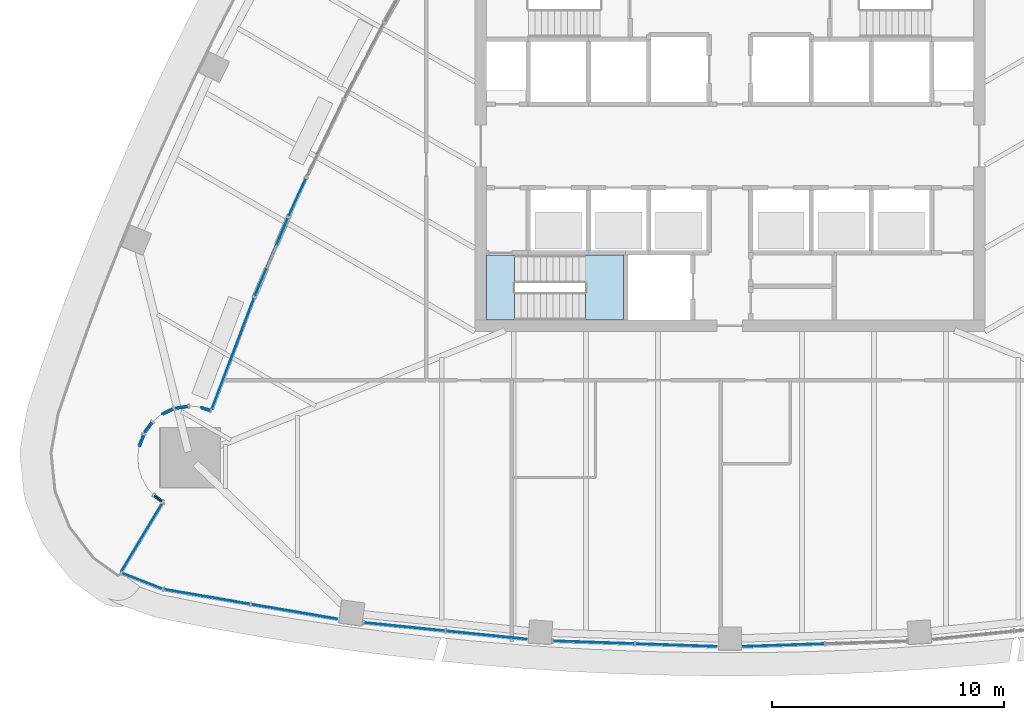
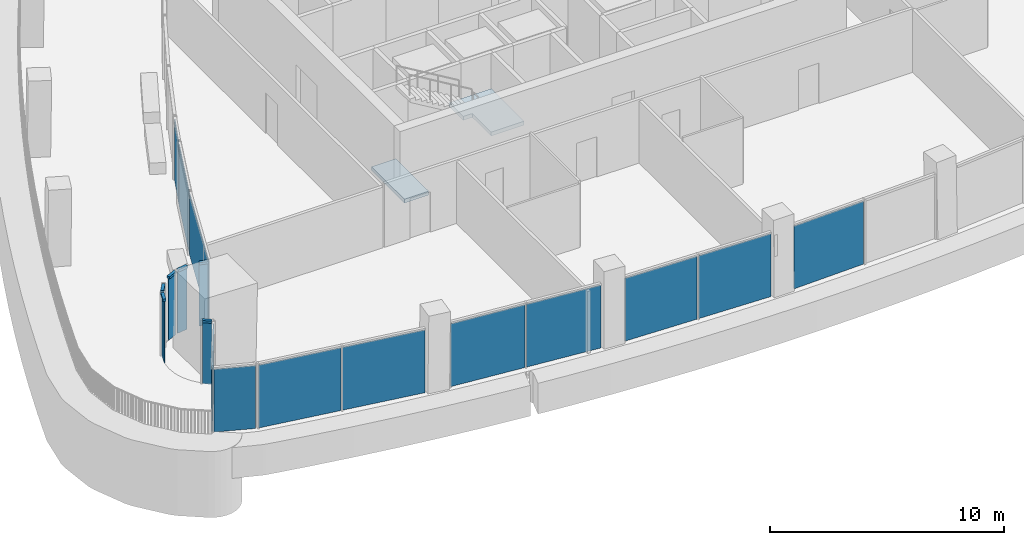
# One storey, part 7 of 18: 18 plates, 6 members, 2 slabs, 16 elements without a shape of their own.
"""IFC4 building model written with IfcOpenShell, lengths in metres."""

from ifc_helpers import new_model, si_unit, direction, frame, origin, origin_2d, place, context, subcontext, project, spatial, polyline, rectangle, outline, extrude, material, layer, layer_set, material_profile, profile_set, type_object, element, aggregate, save


model = new_model("IFC4")

# Units and contexts
model_context = context("Model", 3, precision=1e-05, world=origin(), true_north=direction((0.0, 1.0)))
body_context = subcontext(model_context, "Body", "Model", "MODEL_VIEW")
ifc_project = project(units=[si_unit("LENGTHUNIT", "METRE"), si_unit("AREAUNIT", "SQUARE_METRE"), si_unit("VOLUMEUNIT", "CUBIC_METRE"), si_unit("PLANEANGLEUNIT", "RADIAN"), si_unit("MASSUNIT", "GRAM", prefix="KILO")], contexts=[model_context])

# Site, building, storey
site_placement = place(None, origin())
site = spatial("IfcSite", under=ifc_project, at=site_placement, CompositionType="ELEMENT")
building_placement = place(site_placement, origin())
building = spatial("IfcBuilding", under=site, at=building_placement, Name="Sierra Prisma Convention Tower", CompositionType="ELEMENT")
storey_placement = place(building_placement, frame((0.0, 0.0, 189.800048828125)))
storey = spatial("IfcBuildingStorey", under=building, at=storey_placement, Name="L42", CompositionType="ELEMENT", Elevation=189.800048828125)

# Curtain wall, member
ifc_material_1 = material(Name="Aluminium and glass curtain wall", Category="aluminium")
ifc_layer_1 = layer(ifc_material_1, 0.179931640625)
ifc_layer_set_1 = layer_set([ifc_layer_1], Name="CW-6 Terrace recess curtain wall")
curtain_wall_type_1 = type_object("IfcCurtainWallType", Name="CW-6 Terrace recess curtain wall", PredefinedType="NOTDEFINED", material=ifc_layer_set_1)
curtain_wall_1_placement = place(storey_placement, origin())
curtain_wall_1 = element("IfcCurtainWall", 1, at=curtain_wall_1_placement, inside=storey, type_object=curtain_wall_type_1, Name="CW-6 R13 L42", PredefinedType="NOTDEFINED")
ifc_material_2 = material(Name="Aluminium 6063-T6 bronze anodised", Category="aluminium")
ifc_material_profile = material_profile(ifc_material_2, rectangle(XDim=0.139892578125, YDim=0.1201171875, at=origin_2d()), Name="ALU TRANSOM 120x140")
ifc_profile_set = profile_set([ifc_material_profile], Name="Aluminium 6063-T6 bronze anodised")
member_type = type_object("IfcMemberType", Name="CW transom bronze", PredefinedType="USERDEFINED", material=ifc_profile_set)
member_1_placement = place(storey_placement, frame((-22.432373046875, -11.397705078125, 3.280029296875), z_axis=(-0.949826019039, 0.312778729388, 0.0), x_axis=(-0.312778729388, -0.949826019039, 0.0)))
member_1 = element("IfcMember", 2, at=member_1_placement, type_object=member_type, Name="CW-6 transom R13.1", ObjectType="TRANSOM", PredefinedType="USERDEFINED", context=body_context, shape_type="SweptSolid", body=[
    extrude(rectangle(XDim=0.139892578125, YDim=0.1201171875, at=origin_2d()), origin(), (0.0, 0.0, 1.0), 0.382568359375),
])

curtain_wall_2_placement = place(storey_placement, origin())
curtain_wall_2 = element("IfcCurtainWall", 3, at=curtain_wall_2_placement, inside=storey, type_object=curtain_wall_type_1, Name="CW-6 R15 L42", PredefinedType="NOTDEFINED")
member_2_placement = place(storey_placement, frame((-23.3681640625, -11.223388671875, 3.280029296875), z_axis=(-0.989150136118, -0.146908162528, 0.0), x_axis=(0.146908162528, -0.989150136118, 0.0)))
member_2 = element("IfcMember", 4, at=member_2_placement, type_object=member_type, Name="CW-6 transom R15.1", ObjectType="TRANSOM", PredefinedType="USERDEFINED", context=body_context, shape_type="SweptSolid", body=[
    extrude(rectangle(XDim=0.139892578125, YDim=0.1201171875, at=origin_2d()), origin(), (0.0, 0.0, 1.0), 0.516845703125),
])

curtain_wall_3_placement = place(storey_placement, origin())
curtain_wall_3 = element("IfcCurtainWall", 5, at=curtain_wall_3_placement, inside=storey, type_object=curtain_wall_type_1, Name="CW-6 R16 L42", PredefinedType="NOTDEFINED")
member_3_placement = place(storey_placement, frame((-24.011962890625, -11.33935546875, 3.280029296875), z_axis=(-0.903853193215, -0.427842734092, 0.0), x_axis=(0.427842734092, -0.903853193215, 0.0)))
member_3 = element("IfcMember", 6, at=member_3_placement, type_object=member_type, Name="CW-6 transom R16.1", ObjectType="TRANSOM", PredefinedType="USERDEFINED", context=body_context, shape_type="SweptSolid", body=[
    extrude(rectangle(XDim=0.139892578125, YDim=0.1201171875, at=origin_2d()), origin(), (0.0, 0.0, 1.0), 0.51708984375),
])

curtain_wall_4_placement = place(storey_placement, origin())
curtain_wall_4 = element("IfcCurtainWall", 7, at=curtain_wall_4_placement, inside=storey, type_object=curtain_wall_type_1, Name="CW-6 R18 L42", PredefinedType="NOTDEFINED")
member_4_placement = place(storey_placement, frame((-24.92333984375, -11.925048828125, 3.280029296875), z_axis=(-0.596063090285, -0.80293760181, 0.0), x_axis=(0.80293760181, -0.596063090285, 0.0)))
member_4 = element("IfcMember", 8, at=member_4_placement, type_object=member_type, Name="CW-6 transom R18.1", ObjectType="TRANSOM", PredefinedType="USERDEFINED", context=body_context, shape_type="SweptSolid", body=[
    extrude(rectangle(XDim=0.139892578125, YDim=0.1201171875, at=origin_2d()), origin(), (0.0, 0.0, 1.0), 0.516845703125),
])

curtain_wall_5_placement = place(storey_placement, origin())
curtain_wall_5 = element("IfcCurtainWall", 9, at=curtain_wall_5_placement, inside=storey, type_object=curtain_wall_type_1, Name="CW-6 R19 L42", PredefinedType="NOTDEFINED")
member_5_placement = place(storey_placement, frame((-25.296630859375, -12.46240234375, 3.280029296875), z_axis=(-0.33684512251, -0.94156006895, 0.0), x_axis=(0.94156006895, -0.33684512251, 0.0)))
member_5 = element("IfcMember", 10, at=member_5_placement, type_object=member_type, Name="CW-6 transom R19.1", ObjectType="TRANSOM", PredefinedType="USERDEFINED", context=body_context, shape_type="SweptSolid", body=[
    extrude(rectangle(XDim=0.139892578125, YDim=0.1201171875, at=origin_2d()), origin(), (0.0, 0.0, 1.0), 0.516845703125),
])

curtain_wall_6_placement = place(storey_placement, origin())
curtain_wall_6 = element("IfcCurtainWall", 11, at=curtain_wall_6_placement, inside=storey, type_object=curtain_wall_type_1, Name="CW-6 R25 L42", PredefinedType="NOTDEFINED")
member_6_placement = place(storey_placement, frame((-24.825927734375, -15.07666015625, 3.280029296875), z_axis=(0.796881249276, -0.604135973563, 0.0), x_axis=(0.604135973563, 0.796881249276, 0.0)))
member_6 = element("IfcMember", 12, at=member_6_placement, type_object=member_type, Name="CW-6 transom R25.1", ObjectType="TRANSOM", PredefinedType="USERDEFINED", context=body_context, shape_type="SweptSolid", body=[
    extrude(rectangle(XDim=0.139892578125, YDim=0.1201171875, at=origin_2d()), origin(), (0.0, 0.0, 1.0), 0.4052734375),
])

# Curtain wall, plate
ifc_material_3 = material(Name="Aluminium and glass curtain wall", Category="aluminium")
ifc_layer_2 = layer(ifc_material_3, 0.179931640625)
ifc_layer_set_2 = layer_set([ifc_layer_2], Name="CW-1 Plain shaft curtain wall")
curtain_wall_type_2 = type_object("IfcCurtainWallType", Name="CW-1 Plain shaft curtain wall", PredefinedType="NOTDEFINED", material=ifc_layer_set_2)
curtain_wall_7_placement = place(storey_placement, origin())
curtain_wall_7 = element("IfcCurtainWall", 13, at=curtain_wall_7_placement, inside=storey, type_object=curtain_wall_type_2, Name="CW-1 SW5 L42", PredefinedType="NOTDEFINED")
ifc_material_4 = material(Name="Tinted glass bronze-grey IGU", Category="glass")
ifc_layer_3 = layer(ifc_material_4, 0.028076171875)
ifc_layer_set_3 = layer_set([ifc_layer_3], Name="CW-1 glass panel")
plate_type_1 = type_object("IfcPlateType", Name="CW-1 glass panel", PredefinedType="CURTAIN_PANEL", material=ifc_layer_set_3)
plate_1_placement = place(storey_placement, frame((-25.368896484375, -18.758544921875, 0.0), z_axis=(0.0, 0.0, 1.0), x_axis=(0.931633288496, -0.363399801549, 0.0)))
plate_1 = element("IfcPlate", 14, at=plate_1_placement, type_object=plate_type_1, Name="CW-1 panel SW5.1", PredefinedType="CURTAIN_PANEL", context=body_context, shape_type="SweptSolid", body=[
    extrude(rectangle(XDim=1.8017578125, YDim=0.028076171875, at=origin_2d()), origin(), (0.0, 0.0, 1.0), 3.280029296875),
])
aggregate(curtain_wall_7, [plate_1])

# Curtain wall, plates
curtain_wall_8_placement = place(storey_placement, origin())
curtain_wall_8 = element("IfcCurtainWall", 15, at=curtain_wall_8_placement, inside=storey, type_object=curtain_wall_type_2, Name="CW-1 S1 L42", PredefinedType="NOTDEFINED")
plate_2_placement = place(storey_placement, frame((-22.54736328125, -19.43896484375, 0.0), z_axis=(0.0, 0.0, 1.0), x_axis=(0.985712238098, -0.168438070707, 0.0)))
plate_2 = element("IfcPlate", 16, at=plate_2_placement, type_object=plate_type_1, Name="CW-1 panel S1.1", PredefinedType="CURTAIN_PANEL", context=body_context, shape_type="SweptSolid", body=[
    extrude(rectangle(XDim=3.749755859375, YDim=0.028076171875, at=origin_2d()), origin(), (0.0, 0.0, 1.0), 3.280029296875),
])
plate_3_placement = place(storey_placement, frame((-18.7822265625, -20.08251953125, 0.0), z_axis=(0.0, 0.0, 1.0), x_axis=(0.985712238098, -0.168438070707, 0.0)))
plate_3 = element("IfcPlate", 17, at=plate_3_placement, type_object=plate_type_1, Name="CW-1 panel S1.2", PredefinedType="CURTAIN_PANEL", context=body_context, shape_type="SweptSolid", body=[
    extrude(rectangle(XDim=3.749755859375, YDim=0.028076171875, at=origin_2d()), origin(), (0.0, 0.0, 1.0), 3.280029296875),
])
aggregate(curtain_wall_8, [plate_2, plate_3])

curtain_wall_9_placement = place(storey_placement, origin())
curtain_wall_9 = element("IfcCurtainWall", 18, at=curtain_wall_9_placement, inside=storey, type_object=curtain_wall_type_2, Name="CW-1 S2 L42", PredefinedType="NOTDEFINED")
plate_4_placement = place(storey_placement, frame((-14.031005859375, -20.732666015625, 0.0), z_axis=(0.0, 0.0, 1.0), x_axis=(0.994848539433, -0.101372499166, 0.0)))
plate_4 = element("IfcPlate", 19, at=plate_4_placement, type_object=plate_type_1, Name="CW-1 panel S2.1", PredefinedType="CURTAIN_PANEL", context=body_context, shape_type="SweptSolid", body=[
    extrude(rectangle(XDim=3.4775390625, YDim=0.028076171875, at=origin_2d()), origin(), (0.0, 0.0, 1.0), 3.280029296875),
])
plate_5_placement = place(storey_placement, frame((-10.501708984375, -21.09228515625, 0.0), z_axis=(0.0, 0.0, 1.0), x_axis=(0.994848539433, -0.101372499166, 0.0)))
plate_5 = element("IfcPlate", 20, at=plate_5_placement, type_object=plate_type_1, Name="CW-1 panel S2.2", PredefinedType="CURTAIN_PANEL", context=body_context, shape_type="SweptSolid", body=[
    extrude(rectangle(XDim=3.4775390625, YDim=0.028076171875, at=origin_2d()), origin(), (0.0, 0.0, 1.0), 3.280029296875),
])
aggregate(curtain_wall_9, [plate_4, plate_5])

curtain_wall_10_placement = place(storey_placement, origin())
curtain_wall_10 = element("IfcCurtainWall", 21, at=curtain_wall_10_placement, inside=storey, type_object=curtain_wall_type_2, Name="CW-1 S3 L42", PredefinedType="NOTDEFINED")
plate_6_placement = place(storey_placement, frame((-5.876953125, -21.4052734375, 0.0), z_axis=(0.0, 0.0, 1.0), x_axis=(0.999427178076, -0.033842513539, 0.0)))
plate_6 = element("IfcPlate", 22, at=plate_6_placement, type_object=plate_type_1, Name="CW-1 panel S3.1", PredefinedType="CURTAIN_PANEL", context=body_context, shape_type="SweptSolid", body=[
    extrude(rectangle(XDim=3.49365234375, YDim=0.028076171875, at=origin_2d()), origin(), (0.0, 0.0, 1.0), 3.280029296875),
])
plate_7_placement = place(storey_placement, frame((-2.3154296875, -21.52587890625, 0.0), z_axis=(0.0, 0.0, 1.0), x_axis=(0.999427178076, -0.033842513539, 0.0)))
plate_7 = element("IfcPlate", 23, at=plate_7_placement, type_object=plate_type_1, Name="CW-1 panel S3.2", PredefinedType="CURTAIN_PANEL", context=body_context, shape_type="SweptSolid", body=[
    extrude(rectangle(XDim=3.49365234375, YDim=0.028076171875, at=origin_2d()), origin(), (0.0, 0.0, 1.0), 3.280029296875),
])
aggregate(curtain_wall_10, [plate_6, plate_7])

# Curtain wall, plate
curtain_wall_11_placement = place(storey_placement, origin())
curtain_wall_11 = element("IfcCurtainWall", 24, at=curtain_wall_11_placement, inside=storey, type_object=curtain_wall_type_2, Name="CW-1 S4 L42", PredefinedType="NOTDEFINED")
plate_8_placement = place(storey_placement, frame((2.3154296875, -21.52587890625, 0.0), z_axis=(0.0, 0.0, 1.0), x_axis=(0.999427178076, 0.033842513539, 0.0)))
plate_8 = element("IfcPlate", 25, at=plate_8_placement, type_object=plate_type_1, Name="CW-1 panel S4.1", PredefinedType="CURTAIN_PANEL", context=body_context, shape_type="SweptSolid", body=[
    extrude(rectangle(XDim=3.49365234375, YDim=0.028076171875, at=origin_2d()), origin(), (0.0, 0.0, 1.0), 3.280029296875),
])
aggregate(curtain_wall_11, [plate_8])

curtain_wall_12_placement = place(storey_placement, origin())
curtain_wall_12 = element("IfcCurtainWall", 26, at=curtain_wall_12_placement, inside=storey, type_object=curtain_wall_type_1, Name="CW-6 R10 L42", PredefinedType="NOTDEFINED")
ifc_material_5 = material(Name="Tinted glass bronze-grey IGU", Category="glass")
ifc_layer_4 = layer(ifc_material_5, 0.028076171875)
ifc_layer_set_4 = layer_set([ifc_layer_4], Name="CW-6 glass panel")
plate_type_2 = type_object("IfcPlateType", Name="CW-6 glass panel", PredefinedType="CURTAIN_PANEL", material=ifc_layer_set_4)
plate_9_placement = place(storey_placement, frame((-18.646728515625, -2.191162109375, 0.0), z_axis=(0.0, 0.0, 1.0), x_axis=(-0.413335169741, -0.910578957288, 0.0)))
plate_9 = element("IfcPlate", 27, at=plate_9_placement, type_object=plate_type_2, Name="CW-6 panel R10.1", PredefinedType="CURTAIN_PANEL", context=body_context, shape_type="SweptSolid", body=[
    extrude(rectangle(XDim=1.733154296875, YDim=0.028076171875, at=origin_2d()), origin(), (0.0, 0.0, 1.0), 3.219970703125),
])
aggregate(curtain_wall_12, [plate_9])

curtain_wall_13_placement = place(storey_placement, origin())
curtain_wall_13 = element("IfcCurtainWall", 28, at=curtain_wall_13_placement, inside=storey, type_object=curtain_wall_type_1, Name="CW-6 R11 L42", PredefinedType="NOTDEFINED")
plate_10_placement = place(storey_placement, frame((-19.76611328125, -4.76806640625, 0.0), z_axis=(0.0, 0.0, 1.0), x_axis=(-0.391022661027, -0.920381050741, 0.0)))
plate_10 = element("IfcPlate", 29, at=plate_10_placement, type_object=plate_type_2, Name="CW-6 panel R11.1", PredefinedType="CURTAIN_PANEL", context=body_context, shape_type="SweptSolid", body=[
    extrude(rectangle(XDim=3.606201171875, YDim=0.028076171875, at=origin_2d()), origin(), (0.0, 0.0, 1.0), 3.219970703125),
])
aggregate(curtain_wall_13, [plate_10])

curtain_wall_14_placement = place(storey_placement, origin())
curtain_wall_14 = element("IfcCurtainWall", 30, at=curtain_wall_14_placement, inside=storey, type_object=curtain_wall_type_1, Name="CW-6 R12 L42", PredefinedType="NOTDEFINED")
plate_11_placement = place(storey_placement, frame((-21.43212890625, -8.955810546875, 0.0), z_axis=(0.0, 0.0, 1.0), x_axis=(-0.354333276839, -0.93511920573, 0.0)))
plate_11 = element("IfcPlate", 31, at=plate_11_placement, type_object=plate_type_2, Name="CW-6 panel R12.1", PredefinedType="CURTAIN_PANEL", context=body_context, shape_type="SweptSolid", body=[
    extrude(rectangle(XDim=5.129638671875, YDim=0.028076171875, at=origin_2d()), origin(), (0.0, 0.0, 1.0), 3.219970703125),
])
aggregate(curtain_wall_14, [plate_11])

# Plate
plate_12_placement = place(storey_placement, frame((-22.614013671875, -11.337890625, 0.0), z_axis=(0.0, 0.0, 1.0), x_axis=(-0.949781558209, 0.312913712844, 0.0)))
plate_12 = element("IfcPlate", 32, at=plate_12_placement, type_object=plate_type_2, Name="CW-6 panel R13.1", PredefinedType="CURTAIN_PANEL", context=body_context, shape_type="SweptSolid", body=[
    extrude(rectangle(XDim=0.382568359375, YDim=0.028076171875, at=origin_2d()), origin(), (0.0, 0.0, 1.0), 3.219970703125),
])

aggregate(curtain_wall_1, [member_1, plate_12])

plate_13_placement = place(storey_placement, frame((-23.623779296875, -11.26123046875, 0.0), z_axis=(0.0, 0.0, 1.0), x_axis=(-0.989176509965, -0.146730474455, 0.0)))
plate_13 = element("IfcPlate", 33, at=plate_13_placement, type_object=plate_type_2, Name="CW-6 panel R15.1", PredefinedType="CURTAIN_PANEL", context=body_context, shape_type="SweptSolid", body=[
    extrude(rectangle(XDim=0.516845703125, YDim=0.028076171875, at=origin_2d()), origin(), (0.0, 0.0, 1.0), 3.219970703125),
])

aggregate(curtain_wall_2, [member_2, plate_13])

plate_14_placement = place(storey_placement, frame((-24.24560546875, -11.449951171875, 0.0), z_axis=(0.0, 0.0, 1.0), x_axis=(-0.903989293123, -0.42755509343, 0.0)))
plate_14 = element("IfcPlate", 34, at=plate_14_placement, type_object=plate_type_2, Name="CW-6 panel R16.1", PredefinedType="CURTAIN_PANEL", context=body_context, shape_type="SweptSolid", body=[
    extrude(rectangle(XDim=0.516845703125, YDim=0.028076171875, at=origin_2d()), origin(), (0.0, 0.0, 1.0), 3.219970703125),
])

aggregate(curtain_wall_3, [member_3, plate_14])

plate_15_placement = place(storey_placement, frame((-25.077392578125, -12.132568359375, 0.0), z_axis=(0.0, 0.0, 1.0), x_axis=(-0.595699304492, -0.803207531481, 0.0)))
plate_15 = element("IfcPlate", 35, at=plate_15_placement, type_object=plate_type_2, Name="CW-6 panel R18.1", PredefinedType="CURTAIN_PANEL", context=body_context, shape_type="SweptSolid", body=[
    extrude(rectangle(XDim=0.516845703125, YDim=0.028076171875, at=origin_2d()), origin(), (0.0, 0.0, 1.0), 3.219970703125),
])

aggregate(curtain_wall_4, [member_4, plate_15])

plate_16_placement = place(storey_placement, frame((-25.3837890625, -12.70556640625, 0.0), z_axis=(0.0, 0.0, 1.0), x_axis=(-0.336889853392, -0.941544065183, 0.0)))
plate_16 = element("IfcPlate", 36, at=plate_16_placement, type_object=plate_type_2, Name="CW-6 panel R19.1", PredefinedType="CURTAIN_PANEL", context=body_context, shape_type="SweptSolid", body=[
    extrude(rectangle(XDim=0.516845703125, YDim=0.028076171875, at=origin_2d()), origin(), (0.0, 0.0, 1.0), 3.219970703125),
])

aggregate(curtain_wall_5, [member_5, plate_16])

plate_17_placement = place(storey_placement, frame((-24.664306640625, -15.19921875, 0.0), z_axis=(0.0, 0.0, 1.0), x_axis=(0.796993678646, -0.603987645733, 0.0)))
plate_17 = element("IfcPlate", 37, at=plate_17_placement, type_object=plate_type_2, Name="CW-6 panel R25.1", PredefinedType="CURTAIN_PANEL", context=body_context, shape_type="SweptSolid", body=[
    extrude(rectangle(XDim=0.4052734375, YDim=0.028076171875, at=origin_2d()), origin(), (0.0, 0.0, 1.0), 3.219970703125),
])

aggregate(curtain_wall_6, [member_6, plate_17])

# Curtain wall, plate
curtain_wall_15_placement = place(storey_placement, origin())
curtain_wall_15 = element("IfcCurtainWall", 38, at=curtain_wall_15_placement, inside=storey, type_object=curtain_wall_type_1, Name="CW-6 RT2 L42", PredefinedType="NOTDEFINED")
plate_18_placement = place(storey_placement, frame((-25.3603515625, -16.884765625, 0.0), z_axis=(0.0, 0.0, 1.0), x_axis=(-0.514766557887, -0.857330386071, 0.0)))
plate_18 = element("IfcPlate", 39, at=plate_18_placement, type_object=plate_type_2, Name="CW-6 panel RT2.1", PredefinedType="CURTAIN_PANEL", context=body_context, shape_type="SweptSolid", body=[
    extrude(rectangle(XDim=3.408203125, YDim=0.028076171875, at=origin_2d()), origin(), (0.0, 0.0, 1.0), 3.219970703125),
])
aggregate(curtain_wall_15, [plate_18])

# Stair, slab
ifc_material_6 = material(Name="Concrete C30/37", Category="concrete")
stair_type = type_object("IfcStairType", Name="Stair dog-leg 1200 RC", PredefinedType="HALF_TURN_STAIR", material=ifc_material_6)
stair_placement = place(storey_placement, origin())
stair = element("IfcStair", 40, at=stair_placement, inside=storey, type_object=stair_type, Name="L42 S1", PredefinedType="HALF_TURN_STAIR")
ifc_material_7 = material(Name="Concrete C35/45", Category="concrete")
ifc_layer_5 = layer(ifc_material_7, 0.199951171875)
ifc_layer_set_5 = layer_set([ifc_layer_5], Name="Stair landing slab")
slab_type = type_object("IfcSlabType", Name="Stair landing slab", PredefinedType="LANDING", material=ifc_layer_set_5)
slab_1_placement = place(storey_placement, frame((0.0, 0.0, 1.800048828125)))
slab_1 = element("IfcSlab", 41, at=slab_1_placement, type_object=slab_type, Name="S1 landing 1", PredefinedType="LANDING", context=body_context, shape_type="SweptSolid", body=[
    extrude(outline(polyline([(-4.60009765625, -4.699951171875), (-4.60009765625, -7.5), (-6.221923828125, -7.5), (-6.221923828125, -5.89990234375), (-6.669921875, -5.89990234375), (-6.669921875, -4.699951171875), (-4.60009765625, -4.699951171875)])), origin(), (0.0, 0.0, 1.0), 0.199951171875),
])
aggregate(stair, [slab_1])

# Slab
slab_2_placement = place(storey_placement, frame((0.0, 0.0, -0.199951171875)))
element("IfcSlab", 42, at=slab_2_placement, inside=storey, type_object=slab_type, Name="S1 floor landing L42", PredefinedType="LANDING", context=body_context, shape_type="SweptSolid", body=[
    extrude(outline(polyline([(-10.5, -7.5), (-9.298095703125, -7.5), (-9.298095703125, -4.699951171875), (-10.5, -4.699951171875), (-10.5, -7.5)])), origin(), (0.0, 0.0, 1.0), 0.199951171875),
])

save(model, "model.ifc")
